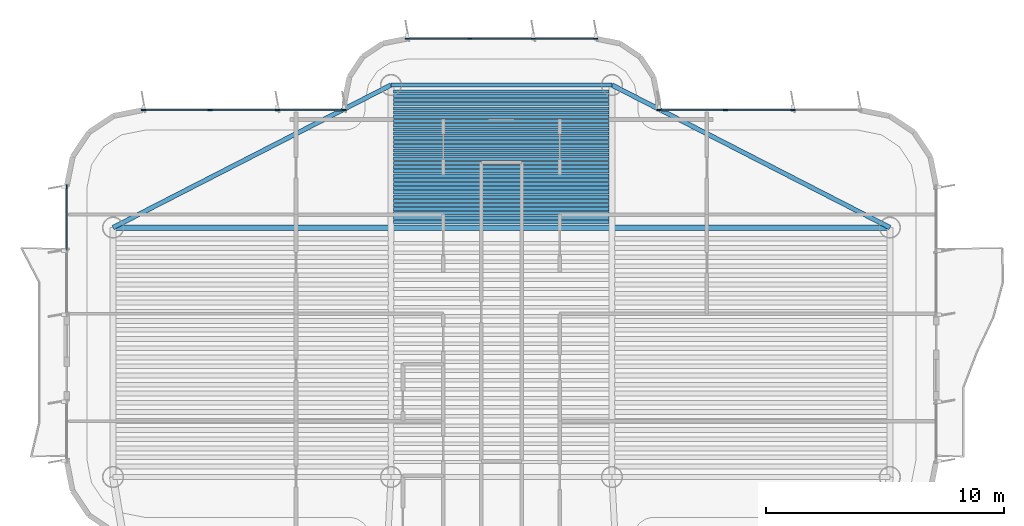
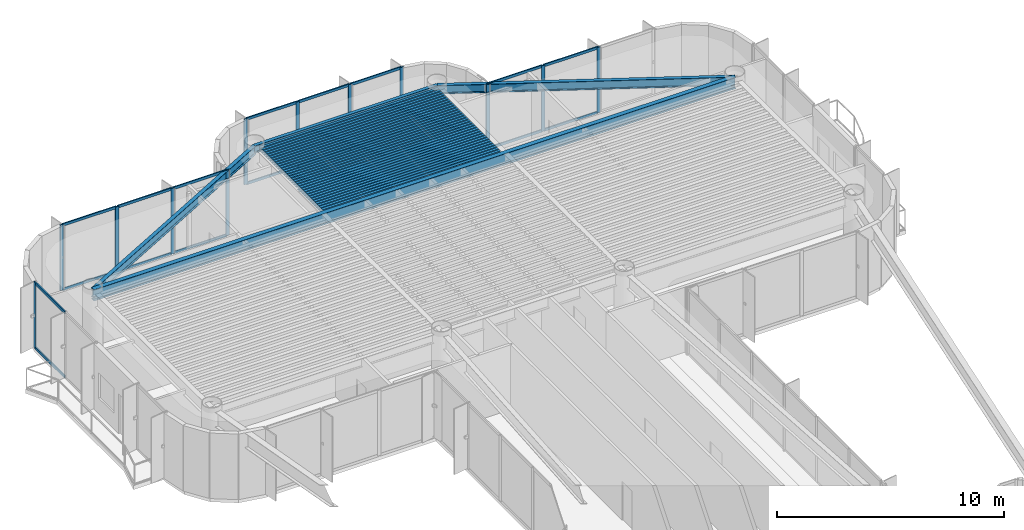
# One storey, part 7 of 15: 36 beams, 30 members, 4 elements without a shape of their own.
"""IFC4 building model written with IfcOpenShell, lengths in metres."""

from ifc_helpers import new_model, si_unit, direction, frame, origin, origin_2d, place, context, subcontext, project, spatial, rectangle, i_section, extrude, source, transform, mapped, material, layer, layer_set, material_profile, profile_set, type_object, element, aggregate, save


model = new_model("IFC4")

# Units and contexts
model_context = context("Model", 3, precision=1e-05, world=origin(), true_north=direction((0.0, 1.0)))
body_context = subcontext(model_context, "Body", "Model", "MODEL_VIEW")
ifc_project = project(units=[si_unit("LENGTHUNIT", "METRE"), si_unit("AREAUNIT", "SQUARE_METRE"), si_unit("VOLUMEUNIT", "CUBIC_METRE"), si_unit("PLANEANGLEUNIT", "RADIAN"), si_unit("MASSUNIT", "GRAM", prefix="KILO")], contexts=[model_context])

# Site, building, storey
site_placement = place(None, origin())
site = spatial("IfcSite", under=ifc_project, at=site_placement, CompositionType="ELEMENT")
building_placement = place(site_placement, origin())
building = spatial("IfcBuilding", under=site, at=building_placement, Name="Brelvock Crest Care Tower", CompositionType="ELEMENT")
storey_placement = place(building_placement, frame((0.0, 0.0, 264.60009765625)))
storey = spatial("IfcBuildingStorey", under=building, at=storey_placement, Name="L67", CompositionType="ELEMENT", Elevation=264.60009765625)

# Beams
ifc_material_1 = material(Name="Steel Grade 350", Category="steel")
ifc_material_profile_1 = material_profile(ifc_material_1, i_section(OverallWidth=0.177978515625, OverallDepth=0.406005859375, WebThickness=0.0078125, FlangeThickness=0.0126953125, FilletRadius=0.011474609375, at=origin_2d()), Name="410UB59.7")
ifc_profile_set_1 = profile_set([ifc_material_profile_1], Name="Steel Grade 350")
beam_type_1 = type_object("IfcBeamType", Name="BM-SP1", PredefinedType="SPANDREL", material=ifc_profile_set_1)
shared_shape_1 = source(origin(), body_context, "Body", "SweptSolid", [
    extrude(i_section(OverallWidth=0.177978515625, OverallDepth=0.406005859375, WebThickness=0.0078125, FlangeThickness=0.0126953125, FilletRadius=0.011474609375, at=origin_2d()), origin(), (0.0, 0.0, 1.0), 9.2998046875),
])
beam_1_placement = place(storey_placement, frame((31.35009765625, 60.449951171875, 3.326904296875), z_axis=(1.0, 0.0, 0.0), x_axis=(0.0, 1.0, 0.0)))
element("IfcBeam", 1, at=beam_1_placement, inside=storey, type_object=beam_type_1, Name="BM-TWR-L67-08", PredefinedType="SPANDREL", context=body_context, shape_type="MappedRepresentation", body=[
    mapped(shared_shape_1, transform((0.0, 0.0, 0.0), x_axis=(1.0, 0.0, 0.0), y_axis=(0.0, 1.0, 0.0), z_axis=(0.0, 0.0, 1.0), scale=1.0)),
])
ifc_material_profile_2 = material_profile(ifc_material_1, i_section(OverallWidth=0.14599609375, OverallDepth=0.256103515625, WebThickness=0.00634765625, FlangeThickness=0.010986328125, FilletRadius=0.0087890625, at=origin_2d()), Name="250UB37.3")
ifc_profile_set_2 = profile_set([ifc_material_profile_2], Name="Steel Grade 350")
beam_type_2 = type_object("IfcBeamType", Name="BM-J3", PredefinedType="JOIST", material=ifc_profile_set_2)
shared_shape_2 = source(origin(), body_context, "Body", "SweptSolid", [
    extrude(i_section(OverallWidth=0.14599609375, OverallDepth=0.256103515625, WebThickness=0.00634765625, FlangeThickness=0.010986328125, FilletRadius=0.0087890625, at=origin_2d()), origin(), (0.0, 0.0, 1.0), 9.06982421875),
])
for number, where, z_axis, x_axis, name in (
    (2, (31.465087890625, 54.68994140625, 3.40185546875), (1.0, 0.0, 0.0), (0.0, 1.0, 0.0), "BM-JN-L67-1"),
    (3, (31.465087890625, 54.866943359375, 3.40185546875), (1.0, 0.0, 0.0), (0.0, 1.0, 0.0), "BM-JN-L67-2"),
    (4, (31.465087890625, 55.0439453125, 3.40185546875), (1.0, 0.0, 0.0), (0.0, 1.0, 0.0), "BM-JN-L67-3"),
    (5, (31.465087890625, 55.220947265625, 3.40185546875), (1.0, 0.0, 0.0), (0.0, 1.0, 0.0), "BM-JN-L67-4"),
    (6, (31.465087890625, 55.39794921875, 3.40185546875), (1.0, 0.0, 0.0), (0.0, 1.0, 0.0), "BM-JN-L67-5"),
    (7, (31.465087890625, 55.574951171875, 3.40185546875), (1.0, 0.0, 0.0), (0.0, 1.0, 0.0), "BM-JN-L67-6"),
    (8, (31.465087890625, 55.751953125, 3.40185546875), (1.0, 0.0, 0.0), (0.0, 1.0, 0.0), "BM-JN-L67-7"),
    (9, (31.465087890625, 55.928955078125, 3.40185546875), (1.0, 0.0, 0.0), (0.0, 1.0, 0.0), "BM-JN-L67-8"),
    (10, (31.465087890625, 56.10595703125, 3.40185546875), (1.0, 0.0, 0.0), (0.0, 1.0, 0.0), "BM-JN-L67-9"),
    (11, (31.465087890625, 56.282958984375, 3.40185546875), (1.0, 0.0, 0.0), (0.0, 1.0, 0.0), "BM-JN-L67-10"),
    (12, (31.465087890625, 56.4599609375, 3.40185546875), (1.0, 0.0, 0.0), (0.0, 1.0, 0.0), "BM-JN-L67-11"),
    (13, (31.465087890625, 56.636962890625, 3.40185546875), (1.0, 0.0, 0.0), (0.0, 1.0, 0.0), "BM-JN-L67-12"),
    (14, (31.465087890625, 56.81396484375, 3.40185546875), (1.0, 0.0, 0.0), (0.0, 1.0, 0.0), "BM-JN-L67-13"),
):
    element("IfcBeam", number, at=place(storey_placement, frame(where, z_axis=z_axis, x_axis=x_axis)), inside=storey, type_object=beam_type_2, Name=name, PredefinedType="JOIST", context=body_context, shape_type="MappedRepresentation", body=[
        mapped(shared_shape_2, transform((0.0, 0.0, 0.0), x_axis=(1.0, 0.0, 0.0), y_axis=(0.0, 1.0, 0.0), z_axis=(0.0, 0.0, 1.0), scale=1.0)),
    ])
ifc_material_profile_3 = material_profile(ifc_material_1, i_section(OverallWidth=0.134033203125, OverallDepth=0.20703125, WebThickness=0.00634765625, FlangeThickness=0.009521484375, FilletRadius=0.0087890625, at=origin_2d()), Name="200UB29.8")
ifc_profile_set_3 = profile_set([ifc_material_profile_3], Name="Steel Grade 350")
beam_type_3 = type_object("IfcBeamType", Name="BM-J4", PredefinedType="JOIST", material=ifc_profile_set_3)
shared_shape_3 = source(origin(), body_context, "Body", "SweptSolid", [
    extrude(i_section(OverallWidth=0.134033203125, OverallDepth=0.20703125, WebThickness=0.00634765625, FlangeThickness=0.009521484375, FilletRadius=0.0087890625, at=origin_2d()), origin(), (0.0, 0.0, 1.0), 9.06982421875),
])
for number, where, z_axis, x_axis, name in (
    (15, (31.465087890625, 56.990966796875, 3.426513671875), (1.0, 0.0, 0.0), (0.0, 1.0, 0.0), "BM-JN-L67-14"),
    (16, (31.465087890625, 57.16796875, 3.426513671875), (1.0, 0.0, 0.0), (0.0, 1.0, 0.0), "BM-JN-L67-15"),
    (17, (31.465087890625, 57.344970703125, 3.426513671875), (1.0, 0.0, 0.0), (0.0, 1.0, 0.0), "BM-JN-L67-16"),
    (18, (31.465087890625, 57.52197265625, 3.426513671875), (1.0, 0.0, 0.0), (0.0, 1.0, 0.0), "BM-JN-L67-17"),
    (19, (31.465087890625, 57.698974609375, 3.426513671875), (1.0, 0.0, 0.0), (0.0, 1.0, 0.0), "BM-JN-L67-18"),
    (20, (31.465087890625, 57.8759765625, 3.426513671875), (1.0, 0.0, 0.0), (0.0, 1.0, 0.0), "BM-JN-L67-19"),
    (21, (31.465087890625, 58.052978515625, 3.426513671875), (1.0, 0.0, 0.0), (0.0, 1.0, 0.0), "BM-JN-L67-20"),
    (22, (31.465087890625, 58.22998046875, 3.426513671875), (1.0, 0.0, 0.0), (0.0, 1.0, 0.0), "BM-JN-L67-21"),
    (23, (31.465087890625, 58.406982421875, 3.426513671875), (1.0, 0.0, 0.0), (0.0, 1.0, 0.0), "BM-JN-L67-22"),
    (24, (31.465087890625, 58.583984375, 3.426513671875), (1.0, 0.0, 0.0), (0.0, 1.0, 0.0), "BM-JN-L67-23"),
    (25, (31.465087890625, 58.760986328125, 3.426513671875), (1.0, 0.0, 0.0), (0.0, 1.0, 0.0), "BM-JN-L67-24"),
    (26, (31.465087890625, 58.93798828125, 3.426513671875), (1.0, 0.0, 0.0), (0.0, 1.0, 0.0), "BM-JN-L67-25"),
    (27, (31.465087890625, 59.114990234375, 3.426513671875), (1.0, 0.0, 0.0), (0.0, 1.0, 0.0), "BM-JN-L67-26"),
    (28, (31.465087890625, 59.2919921875, 3.426513671875), (1.0, 0.0, 0.0), (0.0, 1.0, 0.0), "BM-JN-L67-27"),
    (29, (31.465087890625, 59.468994140625, 3.426513671875), (1.0, 0.0, 0.0), (0.0, 1.0, 0.0), "BM-JN-L67-28"),
    (30, (31.465087890625, 59.64599609375, 3.426513671875), (1.0, 0.0, 0.0), (0.0, 1.0, 0.0), "BM-JN-L67-29"),
    (31, (31.465087890625, 59.822998046875, 3.426513671875), (1.0, 0.0, 0.0), (0.0, 1.0, 0.0), "BM-JN-L67-30"),
    (32, (31.465087890625, 60.0, 3.426513671875), (1.0, 0.0, 0.0), (0.0, 1.0, 0.0), "BM-JN-L67-31"),
    (33, (31.465087890625, 60.177001953125, 3.426513671875), (1.0, 0.0, 0.0), (0.0, 1.0, 0.0), "BM-JN-L67-32"),
):
    element("IfcBeam", number, at=place(storey_placement, frame(where, z_axis=z_axis, x_axis=x_axis)), inside=storey, type_object=beam_type_3, Name=name, PredefinedType="JOIST", context=body_context, shape_type="MappedRepresentation", body=[
        mapped(shared_shape_3, transform((0.0, 0.0, 0.0), x_axis=(1.0, 0.0, 0.0), y_axis=(0.0, 1.0, 0.0), z_axis=(0.0, 0.0, 1.0), scale=1.0)),
    ])
ifc_material_profile_4 = material_profile(ifc_material_1, i_section(OverallWidth=0.19091796875, OverallDepth=0.4599609375, WebThickness=0.010009765625, FlangeThickness=0.01611328125, FilletRadius=0.011474609375, at=origin_2d()), Name="460UB82.1")
ifc_profile_set_4 = profile_set([ifc_material_profile_4], Name="Steel Grade 350")
beam_type_4 = type_object("IfcBeamType", Name="BM-SP2", PredefinedType="SPANDREL", material=ifc_profile_set_4)
shared_shape_4 = source(origin(), body_context, "Body", "SweptSolid", [
    extrude(i_section(OverallWidth=0.19091796875, OverallDepth=0.4599609375, WebThickness=0.010009765625, FlangeThickness=0.01611328125, FilletRadius=0.011474609375, at=origin_2d()), origin(), (0.0, 0.0, 1.0), 13.14892578125),
])
for number, where, z_axis, x_axis, name in (
    (34, (19.64990234375, 54.449951171875, 3.2998046875), (0.889820555736, 0.456310616346, 0.0), (-0.456310616346, 0.889820555736, 0.0), "BM-TWR-L67-06"),
    (35, (40.64990234375, 60.449951171875, 3.2998046875), (0.889820555736, -0.456310616346, 0.0), (0.456310616346, 0.889820555736, 0.0), "BM-TWR-L67-07"),
):
    element("IfcBeam", number, at=place(storey_placement, frame(where, z_axis=z_axis, x_axis=x_axis)), inside=storey, type_object=beam_type_4, Name=name, PredefinedType="SPANDREL", context=body_context, shape_type="MappedRepresentation", body=[
        mapped(shared_shape_4, transform((0.0, 0.0, 0.0), x_axis=(1.0, 0.0, 0.0), y_axis=(0.0, 1.0, 0.0), z_axis=(0.0, 0.0, 1.0), scale=1.0)),
    ])
ifc_material_profile_5 = material_profile(ifc_material_1, i_section(OverallWidth=0.22900390625, OverallDepth=0.612060546875, WebThickness=0.011962890625, FlangeThickness=0.01953125, FilletRadius=0.013916015625, at=origin_2d()), Name="610UB125")
ifc_profile_set_5 = profile_set([ifc_material_profile_5], Name="Steel Grade 350")
beam_type_5 = type_object("IfcBeamType", Name="BM-G1", PredefinedType="BEAM", material=ifc_profile_set_5)
shared_shape_5 = source(origin(), body_context, "Body", "SweptSolid", [
    extrude(i_section(OverallWidth=0.22900390625, OverallDepth=0.612060546875, WebThickness=0.011962890625, FlangeThickness=0.01953125, FilletRadius=0.013916015625, at=origin_2d()), origin(), (0.0, 0.0, 1.0), 32.7001953125),
])
beam_2_placement = place(storey_placement, frame((19.64990234375, 54.449951171875, 3.223876953125), z_axis=(1.0, 0.0, 0.0), x_axis=(0.0, 1.0, 0.0)))
element("IfcBeam", 36, at=beam_2_placement, inside=storey, type_object=beam_type_5, Name="BM-TWR-L67-11", PredefinedType="BEAM", context=body_context, shape_type="MappedRepresentation", body=[
    mapped(shared_shape_5, transform((0.0, 0.0, 0.0), x_axis=(1.0, 0.0, 0.0), y_axis=(0.0, 1.0, 0.0), z_axis=(0.0, 0.0, 1.0), scale=1.0)),
])

# Curtain wall, member
ifc_material_2 = material(Name="Dark Glass Double Glazed Low-E", Category="glass")
ifc_layer = layer(ifc_material_2, 0.239990234375, Name="CWS-5")
ifc_layer_set = layer_set([ifc_layer], Name="Dark Glass Double Glazed Low-E")
curtain_wall_type = type_object("IfcCurtainWallType", Name="CWS-5", PredefinedType="NOTDEFINED", material=ifc_layer_set)
curtain_wall_1_placement = place(storey_placement, origin())
curtain_wall_1 = element("IfcCurtainWall", 37, at=curtain_wall_1_placement, inside=storey, type_object=curtain_wall_type, Name="L67 Curtain Wall E17B", PredefinedType="NOTDEFINED")
ifc_material_3 = material(Name="Aluminium 6063-T6", Category="aluminium")
ifc_material_profile_6 = material_profile(ifc_material_3, rectangle(XDim=0.06005859375, YDim=0.179931640625, at=origin_2d()), Name="ALU60x180")
ifc_profile_set_6 = profile_set([ifc_material_profile_6], Name="Aluminium 6063-T6")
member_type_1 = type_object("IfcMemberType", Name="CWM-2", PredefinedType="MULLION", material=ifc_profile_set_6)
shared_shape_6 = source(origin(), body_context, "Body", "SweptSolid", [
    extrude(rectangle(XDim=0.06005859375, YDim=0.179931640625, at=origin_2d()), origin(), (0.0, 0.0, 1.0), 3.52978515625),
])
member_1_placement = place(storey_placement, frame((17.699951171875, 56.169921875, 0.0), z_axis=(0.0, 0.0, 1.0), x_axis=(-1.0, 0.0, 0.0)))
member_1 = element("IfcMember", 38, at=member_1_placement, type_object=member_type_1, Name="CW-5 mullion 3", PredefinedType="MULLION", context=body_context, shape_type="MappedRepresentation", body=[
    mapped(shared_shape_6, transform((0.0, 0.0, 0.0), x_axis=(1.0, 0.0, 0.0), y_axis=(0.0, 1.0, 0.0), z_axis=(0.0, 0.0, 1.0), scale=1.0)),
])

# Curtain wall, members
curtain_wall_2_placement = place(storey_placement, origin())
curtain_wall_2 = element("IfcCurtainWall", 39, at=curtain_wall_2_placement, inside=storey, type_object=curtain_wall_type, Name="L67 Curtain Wall E22", PredefinedType="NOTDEFINED")
member_2_placement = place(storey_placement, frame((20.929931640625, 59.39990234375, 0.0), z_axis=(0.0, 0.0, 1.0), x_axis=(0.0, 1.0, 0.0)))
member_2 = element("IfcMember", 40, at=member_2_placement, type_object=member_type_1, Name="CW-5 mullion 1", PredefinedType="MULLION", context=body_context, shape_type="MappedRepresentation", body=[
    mapped(shared_shape_6, transform((0.0, 0.0, 0.0), x_axis=(1.0, 0.0, 0.0), y_axis=(0.0, 1.0, 0.0), z_axis=(0.0, 0.0, 1.0), scale=1.0)),
])
member_3_placement = place(storey_placement, frame((23.7333984375, 59.39990234375, 0.0), z_axis=(0.0, 0.0, 1.0), x_axis=(0.0, 1.0, 0.0)))
member_3 = element("IfcMember", 41, at=member_3_placement, type_object=member_type_1, Name="CW-5 mullion 2", PredefinedType="MULLION", context=body_context, shape_type="MappedRepresentation", body=[
    mapped(shared_shape_6, transform((0.0, 0.0, 0.0), x_axis=(1.0, 0.0, 0.0), y_axis=(0.0, 1.0, 0.0), z_axis=(0.0, 0.0, 1.0), scale=1.0)),
])
member_4_placement = place(storey_placement, frame((26.566650390625, 59.39990234375, 0.0), z_axis=(0.0, 0.0, 1.0), x_axis=(0.0, 1.0, 0.0)))
member_4 = element("IfcMember", 42, at=member_4_placement, type_object=member_type_1, Name="CW-5 mullion 3", PredefinedType="MULLION", context=body_context, shape_type="MappedRepresentation", body=[
    mapped(shared_shape_6, transform((0.0, 0.0, 0.0), x_axis=(1.0, 0.0, 0.0), y_axis=(0.0, 1.0, 0.0), z_axis=(0.0, 0.0, 1.0), scale=1.0)),
])
member_5_placement = place(storey_placement, frame((29.3701171875, 59.39990234375, 0.0), z_axis=(0.0, 0.0, 1.0), x_axis=(0.0, 1.0, 0.0)))
member_5 = element("IfcMember", 43, at=member_5_placement, type_object=member_type_1, Name="CW-5 mullion 4", PredefinedType="MULLION", context=body_context, shape_type="MappedRepresentation", body=[
    mapped(shared_shape_6, transform((0.0, 0.0, 0.0), x_axis=(1.0, 0.0, 0.0), y_axis=(0.0, 1.0, 0.0), z_axis=(0.0, 0.0, 1.0), scale=1.0)),
])

curtain_wall_3_placement = place(storey_placement, origin())
curtain_wall_3 = element("IfcCurtainWall", 44, at=curtain_wall_3_placement, inside=storey, type_object=curtain_wall_type, Name="L67 Curtain Wall E28", PredefinedType="NOTDEFINED")
member_6_placement = place(storey_placement, frame((32.030029296875, 62.39990234375, 0.0), z_axis=(0.0, 0.0, 1.0), x_axis=(0.0, 1.0, 0.0)))
member_6 = element("IfcMember", 45, at=member_6_placement, type_object=member_type_1, Name="CW-5 mullion 1", PredefinedType="MULLION", context=body_context, shape_type="MappedRepresentation", body=[
    mapped(shared_shape_6, transform((0.0, 0.0, 0.0), x_axis=(1.0, 0.0, 0.0), y_axis=(0.0, 1.0, 0.0), z_axis=(0.0, 0.0, 1.0), scale=1.0)),
])
member_7_placement = place(storey_placement, frame((34.666748046875, 62.39990234375, 0.0), z_axis=(0.0, 0.0, 1.0), x_axis=(0.0, 1.0, 0.0)))
member_7 = element("IfcMember", 46, at=member_7_placement, type_object=member_type_1, Name="CW-5 mullion 2", PredefinedType="MULLION", context=body_context, shape_type="MappedRepresentation", body=[
    mapped(shared_shape_6, transform((0.0, 0.0, 0.0), x_axis=(1.0, 0.0, 0.0), y_axis=(0.0, 1.0, 0.0), z_axis=(0.0, 0.0, 1.0), scale=1.0)),
])
member_8_placement = place(storey_placement, frame((37.333251953125, 62.39990234375, 0.0), z_axis=(0.0, 0.0, 1.0), x_axis=(0.0, 1.0, 0.0)))
member_8 = element("IfcMember", 47, at=member_8_placement, type_object=member_type_1, Name="CW-5 mullion 3", PredefinedType="MULLION", context=body_context, shape_type="MappedRepresentation", body=[
    mapped(shared_shape_6, transform((0.0, 0.0, 0.0), x_axis=(1.0, 0.0, 0.0), y_axis=(0.0, 1.0, 0.0), z_axis=(0.0, 0.0, 1.0), scale=1.0)),
])
member_9_placement = place(storey_placement, frame((39.969970703125, 62.39990234375, 0.0), z_axis=(0.0, 0.0, 1.0), x_axis=(0.0, 1.0, 0.0)))
member_9 = element("IfcMember", 48, at=member_9_placement, type_object=member_type_1, Name="CW-5 mullion 4", PredefinedType="MULLION", context=body_context, shape_type="MappedRepresentation", body=[
    mapped(shared_shape_6, transform((0.0, 0.0, 0.0), x_axis=(1.0, 0.0, 0.0), y_axis=(0.0, 1.0, 0.0), z_axis=(0.0, 0.0, 1.0), scale=1.0)),
])

curtain_wall_4_placement = place(storey_placement, origin())
curtain_wall_4 = element("IfcCurtainWall", 49, at=curtain_wall_4_placement, inside=storey, type_object=curtain_wall_type, Name="L67 Curtain Wall E34", PredefinedType="NOTDEFINED")
member_10_placement = place(storey_placement, frame((42.6298828125, 59.39990234375, 0.0), z_axis=(0.0, 0.0, 1.0), x_axis=(0.0, 1.0, 0.0)))
member_10 = element("IfcMember", 50, at=member_10_placement, type_object=member_type_1, Name="CW-5 mullion 1", PredefinedType="MULLION", context=body_context, shape_type="MappedRepresentation", body=[
    mapped(shared_shape_6, transform((0.0, 0.0, 0.0), x_axis=(1.0, 0.0, 0.0), y_axis=(0.0, 1.0, 0.0), z_axis=(0.0, 0.0, 1.0), scale=1.0)),
])
member_11_placement = place(storey_placement, frame((45.433349609375, 59.39990234375, 0.0), z_axis=(0.0, 0.0, 1.0), x_axis=(0.0, 1.0, 0.0)))
member_11 = element("IfcMember", 51, at=member_11_placement, type_object=member_type_1, Name="CW-5 mullion 2", PredefinedType="MULLION", context=body_context, shape_type="MappedRepresentation", body=[
    mapped(shared_shape_6, transform((0.0, 0.0, 0.0), x_axis=(1.0, 0.0, 0.0), y_axis=(0.0, 1.0, 0.0), z_axis=(0.0, 0.0, 1.0), scale=1.0)),
])
member_12_placement = place(storey_placement, frame((48.2666015625, 59.39990234375, 0.0), z_axis=(0.0, 0.0, 1.0), x_axis=(0.0, 1.0, 0.0)))
member_12 = element("IfcMember", 52, at=member_12_placement, type_object=member_type_1, Name="CW-5 mullion 3", PredefinedType="MULLION", context=body_context, shape_type="MappedRepresentation", body=[
    mapped(shared_shape_6, transform((0.0, 0.0, 0.0), x_axis=(1.0, 0.0, 0.0), y_axis=(0.0, 1.0, 0.0), z_axis=(0.0, 0.0, 1.0), scale=1.0)),
])

# Member
ifc_material_profile_7 = material_profile(ifc_material_3, rectangle(XDim=0.06005859375, YDim=0.139892578125, at=origin_2d()), Name="ALU60x140")
ifc_profile_set_7 = profile_set([ifc_material_profile_7], Name="Aluminium 6063-T6")
member_type_2 = type_object("IfcMemberType", Name="CWT-2", PredefinedType="USERDEFINED", material=ifc_profile_set_7)
shared_shape_7 = source(origin(), body_context, "Body", "SweptSolid", [
    extrude(rectangle(XDim=0.06005859375, YDim=0.139892578125, at=origin_2d()), origin(), (0.0, 0.0, 1.0), 2.57666015625),
])
member_13_placement = place(storey_placement, frame((32.06005859375, 62.39990234375, 0.02978515625), z_axis=(1.0, 0.0, 0.0), x_axis=(0.0, 1.0, 0.0)))
member_13 = element("IfcMember", 53, at=member_13_placement, type_object=member_type_2, Name="CW-5 transom 1.1", ObjectType="TRANSOM", PredefinedType="USERDEFINED", context=body_context, shape_type="MappedRepresentation", body=[
    mapped(shared_shape_7, transform((0.0, 0.0, 0.0), x_axis=(1.0, 0.0, 0.0), y_axis=(0.0, 1.0, 0.0), z_axis=(0.0, 0.0, 1.0), scale=1.0)),
])

member_14_placement = place(storey_placement, frame((32.06005859375, 62.39990234375, 3.5), z_axis=(1.0, 0.0, 0.0), x_axis=(0.0, 1.0, 0.0)))
member_14 = element("IfcMember", 54, at=member_14_placement, type_object=member_type_2, Name="CW-5 transom 1.2", ObjectType="TRANSOM", PredefinedType="USERDEFINED", context=body_context, shape_type="MappedRepresentation", body=[
    mapped(shared_shape_7, transform((0.0, 0.0, 0.0), x_axis=(1.0, 0.0, 0.0), y_axis=(0.0, 1.0, 0.0), z_axis=(0.0, 0.0, 1.0), scale=1.0)),
])

member_15_placement = place(storey_placement, frame((37.36328125, 62.39990234375, 0.02978515625), z_axis=(1.0, 0.0, 0.0), x_axis=(0.0, 1.0, 0.0)))
member_15 = element("IfcMember", 55, at=member_15_placement, type_object=member_type_2, Name="CW-5 transom 3.1", ObjectType="TRANSOM", PredefinedType="USERDEFINED", context=body_context, shape_type="MappedRepresentation", body=[
    mapped(shared_shape_7, transform((0.0, 0.0, 0.0), x_axis=(1.0, 0.0, 0.0), y_axis=(0.0, 1.0, 0.0), z_axis=(0.0, 0.0, 1.0), scale=1.0)),
])

member_16_placement = place(storey_placement, frame((37.36328125, 62.39990234375, 3.5), z_axis=(1.0, 0.0, 0.0), x_axis=(0.0, 1.0, 0.0)))
member_16 = element("IfcMember", 56, at=member_16_placement, type_object=member_type_2, Name="CW-5 transom 3.2", ObjectType="TRANSOM", PredefinedType="USERDEFINED", context=body_context, shape_type="MappedRepresentation", body=[
    mapped(shared_shape_7, transform((0.0, 0.0, 0.0), x_axis=(1.0, 0.0, 0.0), y_axis=(0.0, 1.0, 0.0), z_axis=(0.0, 0.0, 1.0), scale=1.0)),
])

shared_shape_8 = source(origin(), body_context, "Body", "SweptSolid", [
    extrude(rectangle(XDim=0.06005859375, YDim=0.139892578125, at=origin_2d()), origin(), (0.0, 0.0, 1.0), 2.743408203125),
])
member_17_placement = place(storey_placement, frame((20.9599609375, 59.39990234375, 0.02978515625), z_axis=(1.0, 0.0, 0.0), x_axis=(0.0, 1.0, 0.0)))
member_17 = element("IfcMember", 57, at=member_17_placement, type_object=member_type_2, Name="CW-5 transom 1.1", ObjectType="TRANSOM", PredefinedType="USERDEFINED", context=body_context, shape_type="MappedRepresentation", body=[
    mapped(shared_shape_8, transform((0.0, 0.0, 0.0), x_axis=(1.0, 0.0, 0.0), y_axis=(0.0, 1.0, 0.0), z_axis=(0.0, 0.0, 1.0), scale=1.0)),
])

member_18_placement = place(storey_placement, frame((20.9599609375, 59.39990234375, 3.5), z_axis=(1.0, 0.0, 0.0), x_axis=(0.0, 1.0, 0.0)))
member_18 = element("IfcMember", 58, at=member_18_placement, type_object=member_type_2, Name="CW-5 transom 1.2", ObjectType="TRANSOM", PredefinedType="USERDEFINED", context=body_context, shape_type="MappedRepresentation", body=[
    mapped(shared_shape_8, transform((0.0, 0.0, 0.0), x_axis=(1.0, 0.0, 0.0), y_axis=(0.0, 1.0, 0.0), z_axis=(0.0, 0.0, 1.0), scale=1.0)),
])

member_19_placement = place(storey_placement, frame((26.5966796875, 59.39990234375, 0.02978515625), z_axis=(1.0, 0.0, 0.0), x_axis=(0.0, 1.0, 0.0)))
member_19 = element("IfcMember", 59, at=member_19_placement, type_object=member_type_2, Name="CW-5 transom 3.1", ObjectType="TRANSOM", PredefinedType="USERDEFINED", context=body_context, shape_type="MappedRepresentation", body=[
    mapped(shared_shape_8, transform((0.0, 0.0, 0.0), x_axis=(1.0, 0.0, 0.0), y_axis=(0.0, 1.0, 0.0), z_axis=(0.0, 0.0, 1.0), scale=1.0)),
])

member_20_placement = place(storey_placement, frame((26.5966796875, 59.39990234375, 3.5), z_axis=(1.0, 0.0, 0.0), x_axis=(0.0, 1.0, 0.0)))
member_20 = element("IfcMember", 60, at=member_20_placement, type_object=member_type_2, Name="CW-5 transom 3.2", ObjectType="TRANSOM", PredefinedType="USERDEFINED", context=body_context, shape_type="MappedRepresentation", body=[
    mapped(shared_shape_8, transform((0.0, 0.0, 0.0), x_axis=(1.0, 0.0, 0.0), y_axis=(0.0, 1.0, 0.0), z_axis=(0.0, 0.0, 1.0), scale=1.0)),
])

member_21_placement = place(storey_placement, frame((42.659912109375, 59.39990234375, 0.02978515625), z_axis=(1.0, 0.0, 0.0), x_axis=(0.0, 1.0, 0.0)))
member_21 = element("IfcMember", 61, at=member_21_placement, type_object=member_type_2, Name="CW-5 transom 1.1", ObjectType="TRANSOM", PredefinedType="USERDEFINED", context=body_context, shape_type="MappedRepresentation", body=[
    mapped(shared_shape_8, transform((0.0, 0.0, 0.0), x_axis=(1.0, 0.0, 0.0), y_axis=(0.0, 1.0, 0.0), z_axis=(0.0, 0.0, 1.0), scale=1.0)),
])

member_22_placement = place(storey_placement, frame((42.659912109375, 59.39990234375, 3.5), z_axis=(1.0, 0.0, 0.0), x_axis=(0.0, 1.0, 0.0)))
member_22 = element("IfcMember", 62, at=member_22_placement, type_object=member_type_2, Name="CW-5 transom 1.2", ObjectType="TRANSOM", PredefinedType="USERDEFINED", context=body_context, shape_type="MappedRepresentation", body=[
    mapped(shared_shape_8, transform((0.0, 0.0, 0.0), x_axis=(1.0, 0.0, 0.0), y_axis=(0.0, 1.0, 0.0), z_axis=(0.0, 0.0, 1.0), scale=1.0)),
])

shared_shape_9 = source(origin(), body_context, "Body", "SweptSolid", [
    extrude(rectangle(XDim=0.06005859375, YDim=0.139892578125, at=origin_2d()), origin(), (0.0, 0.0, 1.0), 2.773193359375),
])
member_23_placement = place(storey_placement, frame((23.763427734375, 59.39990234375, 0.02978515625), z_axis=(1.0, 0.0, 0.0), x_axis=(0.0, 1.0, 0.0)))
member_23 = element("IfcMember", 63, at=member_23_placement, type_object=member_type_2, Name="CW-5 transom 2.1", ObjectType="TRANSOM", PredefinedType="USERDEFINED", context=body_context, shape_type="MappedRepresentation", body=[
    mapped(shared_shape_9, transform((0.0, 0.0, 0.0), x_axis=(1.0, 0.0, 0.0), y_axis=(0.0, 1.0, 0.0), z_axis=(0.0, 0.0, 1.0), scale=1.0)),
])

member_24_placement = place(storey_placement, frame((23.763427734375, 59.39990234375, 3.5), z_axis=(1.0, 0.0, 0.0), x_axis=(0.0, 1.0, 0.0)))
member_24 = element("IfcMember", 64, at=member_24_placement, type_object=member_type_2, Name="CW-5 transom 2.2", ObjectType="TRANSOM", PredefinedType="USERDEFINED", context=body_context, shape_type="MappedRepresentation", body=[
    mapped(shared_shape_9, transform((0.0, 0.0, 0.0), x_axis=(1.0, 0.0, 0.0), y_axis=(0.0, 1.0, 0.0), z_axis=(0.0, 0.0, 1.0), scale=1.0)),
])

aggregate(curtain_wall_2, [member_2, member_3, member_4, member_5, member_17, member_18, member_23, member_24, member_19, member_20])

member_25_placement = place(storey_placement, frame((45.46337890625, 59.39990234375, 0.02978515625), z_axis=(1.0, 0.0, 0.0), x_axis=(0.0, 1.0, 0.0)))
member_25 = element("IfcMember", 65, at=member_25_placement, type_object=member_type_2, Name="CW-5 transom 2.1", ObjectType="TRANSOM", PredefinedType="USERDEFINED", context=body_context, shape_type="MappedRepresentation", body=[
    mapped(shared_shape_9, transform((0.0, 0.0, 0.0), x_axis=(1.0, 0.0, 0.0), y_axis=(0.0, 1.0, 0.0), z_axis=(0.0, 0.0, 1.0), scale=1.0)),
])

member_26_placement = place(storey_placement, frame((45.46337890625, 59.39990234375, 3.5), z_axis=(1.0, 0.0, 0.0), x_axis=(0.0, 1.0, 0.0)))
member_26 = element("IfcMember", 66, at=member_26_placement, type_object=member_type_2, Name="CW-5 transom 2.2", ObjectType="TRANSOM", PredefinedType="USERDEFINED", context=body_context, shape_type="MappedRepresentation", body=[
    mapped(shared_shape_9, transform((0.0, 0.0, 0.0), x_axis=(1.0, 0.0, 0.0), y_axis=(0.0, 1.0, 0.0), z_axis=(0.0, 0.0, 1.0), scale=1.0)),
])

aggregate(curtain_wall_4, [member_10, member_11, member_12, member_21, member_22, member_25, member_26])

shared_shape_10 = source(origin(), body_context, "Body", "SweptSolid", [
    extrude(rectangle(XDim=0.06005859375, YDim=0.139892578125, at=origin_2d()), origin(), (0.0, 0.0, 1.0), 2.6064453125),
])
member_27_placement = place(storey_placement, frame((34.69677734375, 62.39990234375, 0.02978515625), z_axis=(1.0, 0.0, 0.0), x_axis=(0.0, 1.0, 0.0)))
member_27 = element("IfcMember", 67, at=member_27_placement, type_object=member_type_2, Name="CW-5 transom 2.1", ObjectType="TRANSOM", PredefinedType="USERDEFINED", context=body_context, shape_type="MappedRepresentation", body=[
    mapped(shared_shape_10, transform((0.0, 0.0, 0.0), x_axis=(1.0, 0.0, 0.0), y_axis=(0.0, 1.0, 0.0), z_axis=(0.0, 0.0, 1.0), scale=1.0)),
])

member_28_placement = place(storey_placement, frame((34.69677734375, 62.39990234375, 3.5), z_axis=(1.0, 0.0, 0.0), x_axis=(0.0, 1.0, 0.0)))
member_28 = element("IfcMember", 68, at=member_28_placement, type_object=member_type_2, Name="CW-5 transom 2.2", ObjectType="TRANSOM", PredefinedType="USERDEFINED", context=body_context, shape_type="MappedRepresentation", body=[
    mapped(shared_shape_10, transform((0.0, 0.0, 0.0), x_axis=(1.0, 0.0, 0.0), y_axis=(0.0, 1.0, 0.0), z_axis=(0.0, 0.0, 1.0), scale=1.0)),
])

aggregate(curtain_wall_3, [member_6, member_7, member_8, member_9, member_13, member_14, member_27, member_28, member_15, member_16])

shared_shape_11 = source(origin(), body_context, "Body", "SweptSolid", [
    extrude(rectangle(XDim=0.06005859375, YDim=0.139892578125, at=origin_2d()), origin(), (0.0, 0.0, 1.0), 2.635009765625),
])
member_29_placement = place(storey_placement, frame((17.699951171875, 53.5048828125, 0.02978515625), z_axis=(0.0, 1.0, 0.0), x_axis=(-1.0, 0.0, 0.0)))
member_29 = element("IfcMember", 69, at=member_29_placement, type_object=member_type_2, Name="CW-5 transom 2.1", ObjectType="TRANSOM", PredefinedType="USERDEFINED", context=body_context, shape_type="MappedRepresentation", body=[
    mapped(shared_shape_11, transform((0.0, 0.0, 0.0), x_axis=(1.0, 0.0, 0.0), y_axis=(0.0, 1.0, 0.0), z_axis=(0.0, 0.0, 1.0), scale=1.0)),
])

member_30_placement = place(storey_placement, frame((17.699951171875, 53.5048828125, 3.5), z_axis=(0.0, 1.0, 0.0), x_axis=(-1.0, 0.0, 0.0)))
member_30 = element("IfcMember", 70, at=member_30_placement, type_object=member_type_2, Name="CW-5 transom 2.2", ObjectType="TRANSOM", PredefinedType="USERDEFINED", context=body_context, shape_type="MappedRepresentation", body=[
    mapped(shared_shape_11, transform((0.0, 0.0, 0.0), x_axis=(1.0, 0.0, 0.0), y_axis=(0.0, 1.0, 0.0), z_axis=(0.0, 0.0, 1.0), scale=1.0)),
])

aggregate(curtain_wall_1, [member_1, member_29, member_30])

save(model, "model.ifc")
